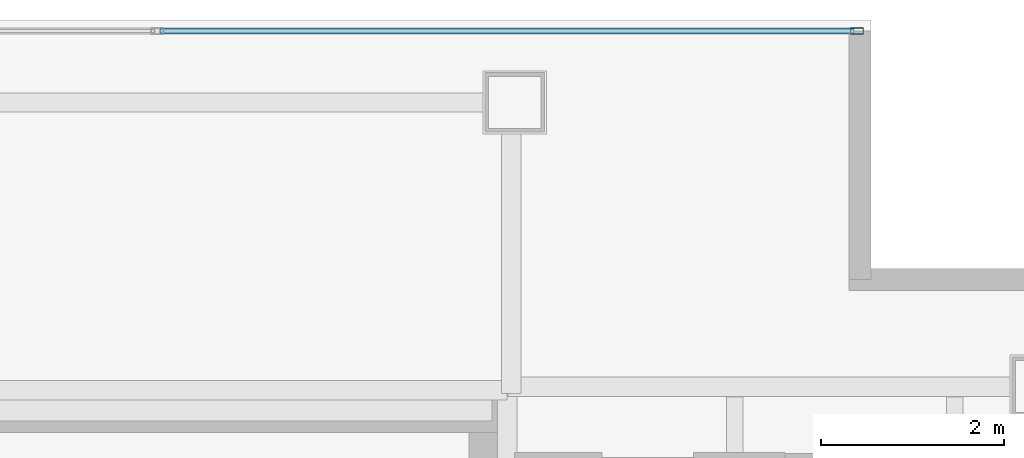
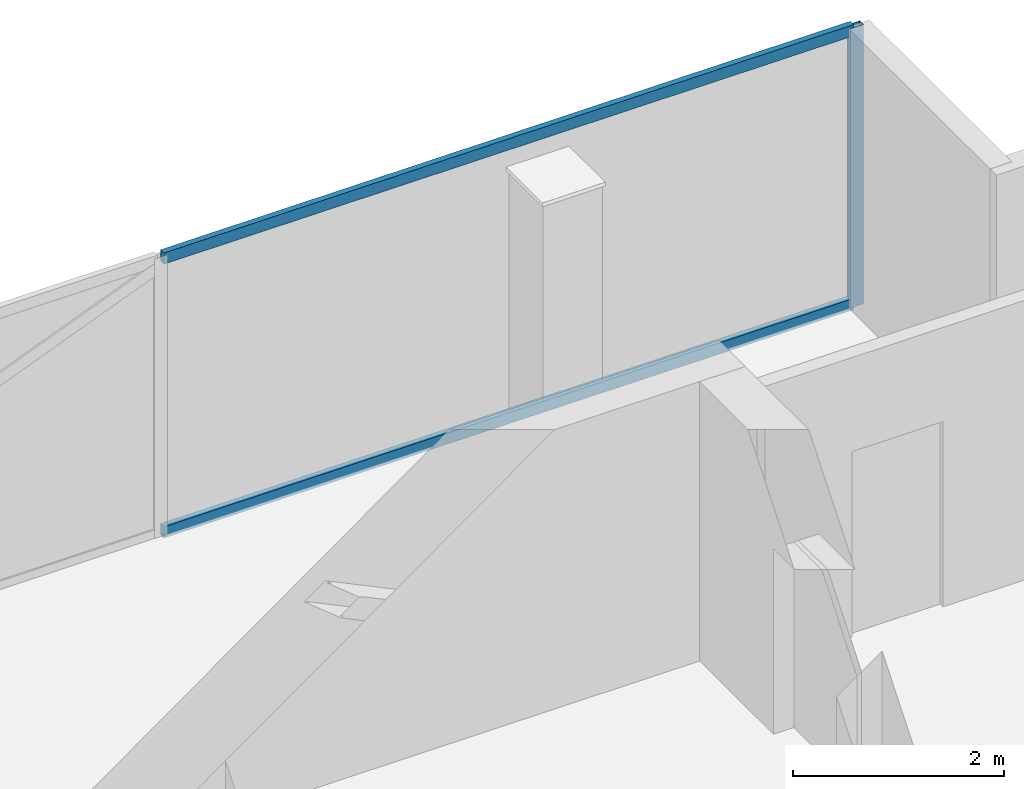
# One storey, part 18 of 24: 3 members, 1 element without a shape of its own.
"""IFC4 building model written with IfcOpenShell, lengths in metres."""

from ifc_helpers import new_model, si_unit, direction, frame, origin, origin_2d, place, context, subcontext, project, spatial, hollow_rectangle, extrude, material, material_profile, profile_set, type_object, element, aggregate, save


model = new_model("IFC4")

# Units and contexts
model_context = context("Model", 3, precision=1e-05, world=origin(), true_north=direction((0.0, 1.0)))
body_context = subcontext(model_context, "Body", "Model", "MODEL_VIEW")
ifc_project = project(units=[si_unit("LENGTHUNIT", "METRE"), si_unit("AREAUNIT", "SQUARE_METRE"), si_unit("VOLUMEUNIT", "CUBIC_METRE"), si_unit("PLANEANGLEUNIT", "RADIAN"), si_unit("MASSUNIT", "GRAM", prefix="KILO")], contexts=[model_context])

# Site, building, storey
site_placement = place(None, origin())
site = spatial("IfcSite", under=ifc_project, at=site_placement, CompositionType="ELEMENT")
building_placement = place(site_placement, origin())
building = spatial("IfcBuilding", under=site, at=building_placement, Name="Cobrela Telecom Tower", CompositionType="ELEMENT")
storey_placement = place(building_placement, frame((0.0, 0.0, 290.14990234375)))
storey = spatial("IfcBuildingStorey", under=building, at=storey_placement, Name="L76", CompositionType="ELEMENT", Elevation=290.14990234375)

# Curtain wall, members
ifc_material = material(Name="Anodized Bronze Aluminium 6063-T6", Category="aluminium")
curtain_wall_type = type_object("IfcCurtainWallType", Name="CW-SYS-OFF-HI", PredefinedType="USERDEFINED", material=ifc_material)
curtain_wall_placement = place(storey_placement, origin())
curtain_wall = element("IfcCurtainWall", 1, at=curtain_wall_placement, inside=storey, type_object=curtain_wall_type, Name="L76 Unitised Bronze Curtain Wall 05", ObjectType="UNITISED CURTAIN WALL", PredefinedType="USERDEFINED")
ifc_material_profile_1 = material_profile(ifc_material, hollow_rectangle(XDim=0.070068359375, YDim=0.139892578125, WallThickness=0.00390625, at=origin_2d()), Name="ALU 70x140x4")
ifc_profile_set_1 = profile_set([ifc_material_profile_1], Name="Anodized Bronze Aluminium 6063-T6")
member_type_1 = type_object("IfcMemberType", Name="CW-SYS-OFF-HI-MUL", PredefinedType="MULLION", material=ifc_profile_set_1)
member_1_placement = place(storey_placement, frame((18.135009765625, 39.8798828125, 0.0), z_axis=(0.0, 0.0, 1.0), x_axis=(0.0, 1.0, 0.0)))
member_1 = element("IfcMember", 2, at=member_1_placement, type_object=member_type_1, Name="CW-OFF-HI mullion 3", PredefinedType="MULLION", context=body_context, shape_type="SweptSolid", body=[
    extrude(hollow_rectangle(XDim=0.070068359375, YDim=0.139892578125, WallThickness=0.00390625, at=origin_2d()), origin(), (0.0, 0.0, 1.0), 3.239990234375),
])
ifc_material_profile_2 = material_profile(ifc_material, hollow_rectangle(XDim=0.06494140625, YDim=0.1298828125, WallThickness=0.00390625, at=origin_2d()), Name="ALU 65x130x4")
ifc_profile_set_2 = profile_set([ifc_material_profile_2], Name="Anodized Bronze Aluminium 6063-T6")
member_type_2 = type_object("IfcMemberType", Name="CW-SYS-OFF-HI-TRN", PredefinedType="USERDEFINED", material=ifc_profile_set_2)
member_2_placement = place(storey_placement, frame((10.534912109375, 39.8798828125, 0.03271484375), z_axis=(1.0, 0.0, 0.0), x_axis=(0.0, 1.0, 0.0)))
member_2 = element("IfcMember", 3, at=member_2_placement, type_object=member_type_2, Name="CW-OFF-HI transom 2.1", ObjectType="TRANSOM", PredefinedType="USERDEFINED", context=body_context, shape_type="SweptSolid", body=[
    extrude(hollow_rectangle(XDim=0.06494140625, YDim=0.1298828125, WallThickness=0.00390625, at=origin_2d()), origin(), (0.0, 0.0, 1.0), 7.565185546875),
])
member_3_placement = place(storey_placement, frame((10.534912109375, 39.8798828125, 3.20751953125), z_axis=(1.0, 0.0, 0.0), x_axis=(0.0, 1.0, 0.0)))
member_3 = element("IfcMember", 4, at=member_3_placement, type_object=member_type_2, Name="CW-OFF-HI transom 2.2", ObjectType="TRANSOM", PredefinedType="USERDEFINED", context=body_context, shape_type="SweptSolid", body=[
    extrude(hollow_rectangle(XDim=0.06494140625, YDim=0.1298828125, WallThickness=0.00390625, at=origin_2d()), origin(), (0.0, 0.0, 1.0), 7.565185546875),
])
aggregate(curtain_wall, [member_1, member_2, member_3])

save(model, "model.ifc")
